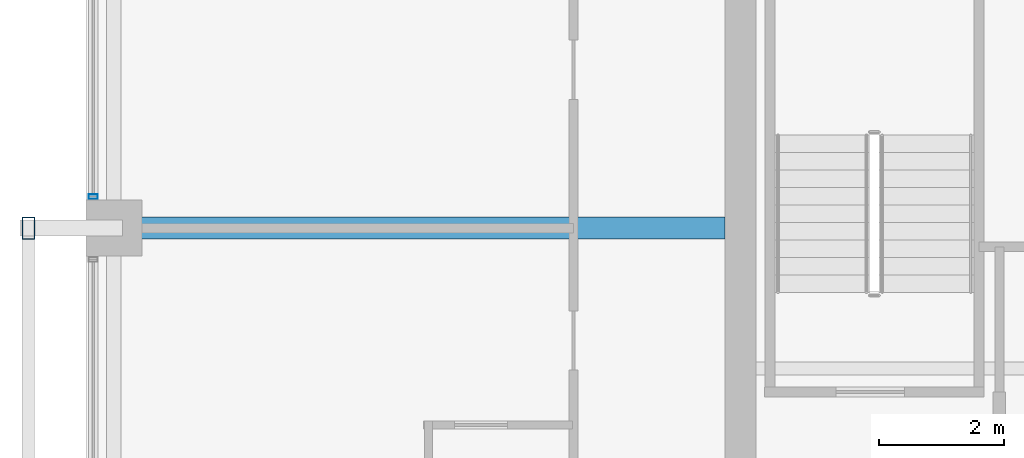
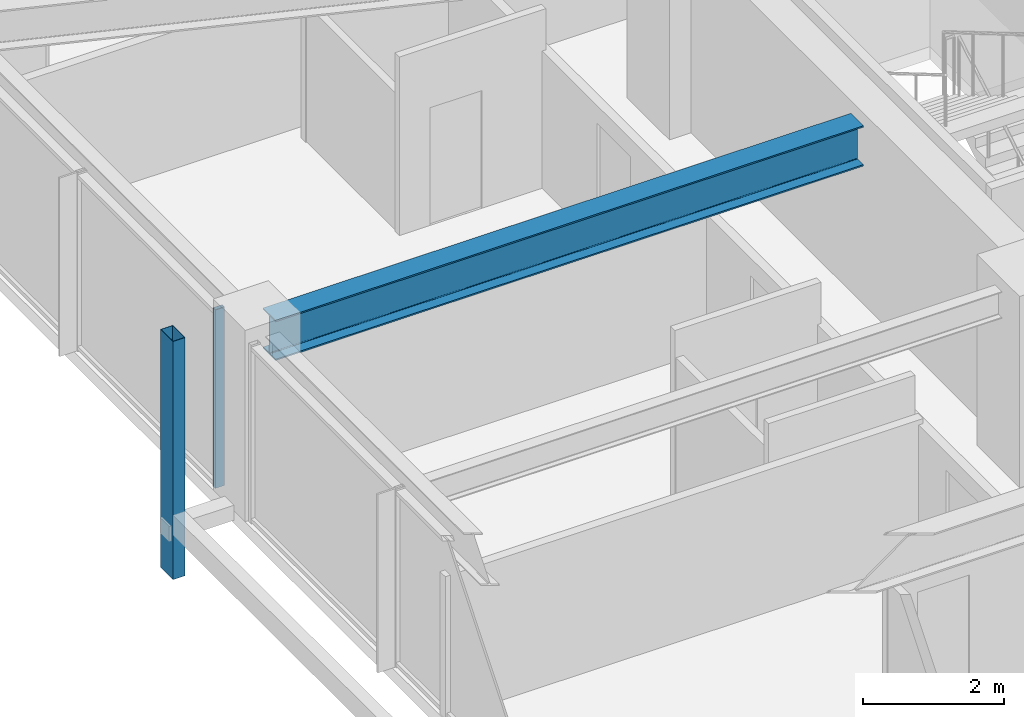
# One storey, part 10 of 37: 2 members, 1 beam, 1 element without a shape of its own.
"""IFC4 building model written with IfcOpenShell, lengths in metres."""

from ifc_helpers import new_model, si_unit, direction, frame, origin, origin_2d, place, context, subcontext, project, spatial, hollow_rectangle, i_section, extrude, material, material_profile, profile_set, type_object, element, aggregate, save


model = new_model("IFC4")

# Units and contexts
model_context = context("Model", 3, precision=1e-05, world=origin(), true_north=direction((0.0, 1.0)))
body_context = subcontext(model_context, "Body", "Model", "MODEL_VIEW")
ifc_project = project(units=[si_unit("LENGTHUNIT", "METRE"), si_unit("AREAUNIT", "SQUARE_METRE"), si_unit("VOLUMEUNIT", "CUBIC_METRE"), si_unit("PLANEANGLEUNIT", "RADIAN"), si_unit("MASSUNIT", "GRAM", prefix="KILO")], contexts=[model_context])

# Site, building, storey
site_placement = place(None, origin())
site = spatial("IfcSite", under=ifc_project, at=site_placement, CompositionType="ELEMENT")
building_placement = place(site_placement, origin())
building = spatial("IfcBuilding", under=site, at=building_placement, Name="Kolvaren Belvedere", CompositionType="ELEMENT")
storey_placement = place(building_placement, frame((0.0, 0.0, 173.39990234375)))
storey = spatial("IfcBuildingStorey", under=building, at=storey_placement, Name="L50", CompositionType="ELEMENT", Elevation=173.39990234375)

# Beam
ifc_material_1 = material(Name="Structural steel ASTM A992 Grade 50", Category="steel")
ifc_material_profile_1 = material_profile(ifc_material_1, i_section(OverallWidth=0.35498046875, OverallDepth=0.696044921875, WebThickness=0.015380859375, FlangeThickness=0.02490234375, FilletRadius=0.02197265625, at=origin_2d()), Name="W27X146")
ifc_profile_set_1 = profile_set([ifc_material_profile_1], Name="Structural steel ASTM A992 Grade 50")
beam_type = type_object("IfcBeamType", Name="BM-GIRD-W27X146", PredefinedType="BEAM", material=ifc_profile_set_1)
beam_placement = place(storey_placement, frame((-10.14990234375, 4.60009765625, 2.732177734375), z_axis=(-1.0, 0.0, 0.0), x_axis=(0.0, -1.0, 0.0)))
element("IfcBeam", 1, at=beam_placement, inside=storey, type_object=beam_type, Name="L50 West Radial Girder P", PredefinedType="BEAM", context=body_context, shape_type="SweptSolid", body=[
    extrude(i_section(OverallWidth=0.35498046875, OverallDepth=0.696044921875, WebThickness=0.015380859375, FlangeThickness=0.02490234375, FilletRadius=0.02197265625, at=origin_2d()), origin(), (0.0, 0.0, 1.0), 9.59765625),
])

# Curtain wall, member
ifc_material_2 = material(Name="Anodised pale-metal aluminium AA 6063-T6", Category="aluminium")
curtain_wall_type = type_object("IfcCurtainWallType", Name="CW-Z5-HIGH", PredefinedType="NOTDEFINED", material=ifc_material_2)
curtain_wall_placement = place(storey_placement, origin())
curtain_wall = element("IfcCurtainWall", 2, at=curtain_wall_placement, inside=storey, type_object=curtain_wall_type, Name="L50 Unitised Curtain Wall FCW-L50-W-B3", PredefinedType="NOTDEFINED")
ifc_material_3 = material(Name="Anodised pale-metal aluminium AA 6063-T6", Category="aluminium")
ifc_material_profile_2 = material_profile(ifc_material_3, hollow_rectangle(XDim=0.070068359375, YDim=0.14990234375, WallThickness=0.004150390625, at=origin_2d()), Name="ALU-MUL-150X70")
ifc_profile_set_2 = profile_set([ifc_material_profile_2], Name="Anodised pale-metal aluminium AA 6063-T6")
member_type_1 = type_object("IfcMemberType", Name="CW-MUL-150", PredefinedType="MULLION", material=ifc_profile_set_2)
member_1_placement = place(storey_placement, frame((-20.280029296875, 5.10498046875, 0.0), z_axis=(0.0, 0.0, 1.0), x_axis=(0.0, 1.0, 0.0)))
member_1 = element("IfcMember", 3, at=member_1_placement, type_object=member_type_1, Name="FCW-L50-W-B3 Unitised Mullion 1", PredefinedType="MULLION", context=body_context, shape_type="SweptSolid", body=[
    extrude(hollow_rectangle(XDim=0.070068359375, YDim=0.14990234375, WallThickness=0.004150390625, at=origin_2d()), origin(), (0.0, 0.0, 1.0), 3.080078125),
])
aggregate(curtain_wall, [member_1])

# Member
ifc_material_4 = material(Name="Anodised pale-metal aluminium AA 6063-T6", Category="aluminium")
ifc_material_profile_3 = material_profile(ifc_material_4, hollow_rectangle(XDim=0.199951171875, YDim=0.35009765625, WallThickness=0.007568359375, at=origin_2d()), Name="ALU-PF-350X200")
ifc_profile_set_3 = profile_set([ifc_material_profile_3], Name="Anodised pale-metal aluminium AA 6063-T6")
member_type_2 = type_object("IfcMemberType", Name="PF-FRAME-350", PredefinedType="USERDEFINED", material=ifc_profile_set_3)
member_2_placement = place(storey_placement, frame((-21.320068359375, 4.60009765625, -0.809814453125), z_axis=(0.0, 0.0, 1.0), x_axis=(1.0, 0.0, 0.0)))
element("IfcMember", 4, at=member_2_placement, inside=storey, type_object=member_type_2, Name="L50 Outboard Picture-Frame Vertical W2", ObjectType="PICTURE FRAME FIN", PredefinedType="USERDEFINED", context=body_context, shape_type="SweptSolid", body=[
    extrude(hollow_rectangle(XDim=0.199951171875, YDim=0.35009765625, WallThickness=0.007568359375, at=origin_2d()), origin(), (0.0, 0.0, 1.0), 4.10986328125),
])

save(model, "model.ifc")
